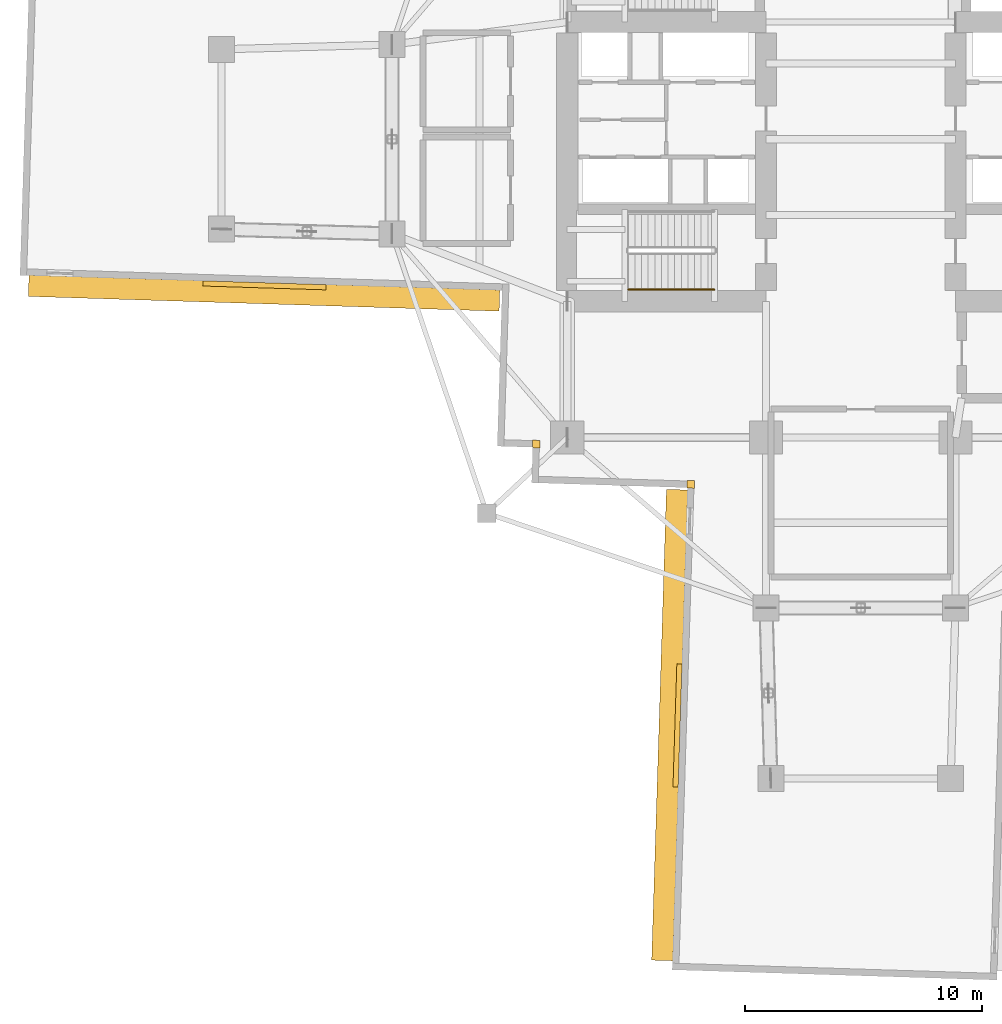
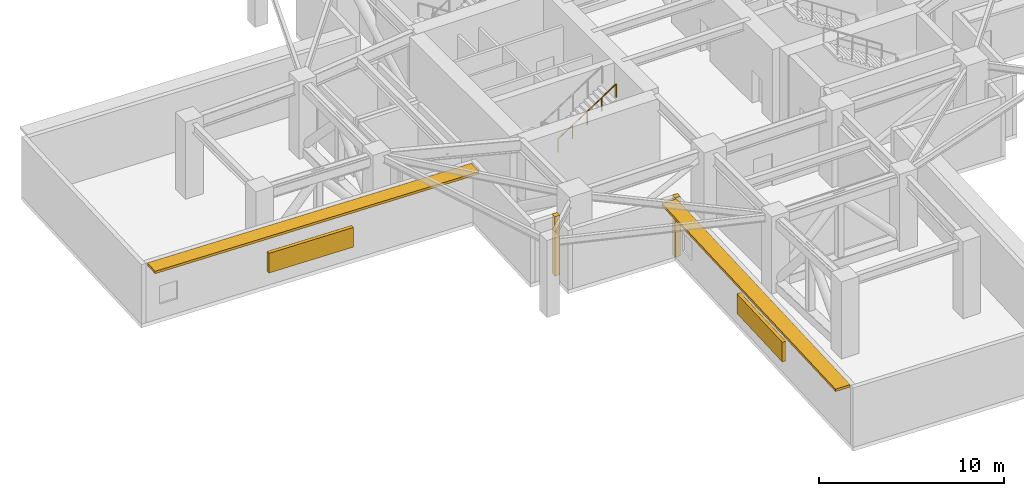
# One storey, part 13 of 17: 4 shading devices, 2 coverings, 1 railing.
"""IFC4 building model written with IfcOpenShell, lengths in metres."""

from ifc_helpers import new_model, si_unit, direction, frame, origin, origin_2d, place, context, subcontext, project, spatial, rectangle, circle, extrude, material, layer, layer_set, type_object, element, save


model = new_model("IFC4")

# Units and contexts
model_context = context("Model", 3, precision=1e-05, world=origin(), true_north=direction((0.0, 1.0)))
body_context = subcontext(model_context, "Body", "Model", "MODEL_VIEW")
ifc_project = project(units=[si_unit("LENGTHUNIT", "METRE"), si_unit("AREAUNIT", "SQUARE_METRE"), si_unit("VOLUMEUNIT", "CUBIC_METRE"), si_unit("PLANEANGLEUNIT", "RADIAN"), si_unit("MASSUNIT", "GRAM", prefix="KILO")], contexts=[model_context])

# Site, building, storey
site_placement = place(None, origin())
site = spatial("IfcSite", under=ifc_project, at=site_placement, CompositionType="ELEMENT")
building_placement = place(site_placement, origin())
building = spatial("IfcBuilding", under=site, at=building_placement, Name="Qingluan Cross Belvedere", CompositionType="ELEMENT")
storey_placement = place(building_placement, frame((0.0, 0.0, 95.10009765625)))
storey = spatial("IfcBuildingStorey", under=building, at=storey_placement, Name="L24", CompositionType="ELEMENT", Elevation=95.10009765625)

# Coverings
ifc_material_1 = material(Name="Precast concrete C45", Category="concrete")
ifc_layer_1 = layer(ifc_material_1, 0.1201171875, Name="ConcreteSpandrelCladding_120")
ifc_layer_set_1 = layer_set([ifc_layer_1], Name="Precast concrete C45")
covering_type = type_object("IfcCoveringType", Name="ConcreteSpandrelCladding_120", PredefinedType="CLADDING", material=ifc_layer_set_1)
for number, where, z_axis, x_axis, name in (
    (1, (-13.711181640625, -12.875732421875, 0.0), (0.0, 0.0, 1.0), (0.999506560366, -0.031410759078, 0.0), "Corner closure L24-SW1"),
    (2, (-7.181640625, -14.58154296875, 0.0), (0.0, 0.0, 1.0), (0.999506560366, -0.031410759078, 0.0), "Corner closure L24-SW2"),
):
    element("IfcCovering", number, at=place(storey_placement, frame(where, z_axis=z_axis, x_axis=x_axis)), inside=storey, type_object=covering_type, Name=name, PredefinedType="CLADDING", context=body_context, shape_type="SweptSolid", body=[
        extrude(rectangle(XDim=0.320068359375, YDim=0.320068359375, at=origin_2d()), origin(), (0.0, 0.0, 1.0), 3.929931640625),
    ])

# Shading devices
ifc_material_2 = material(Name="Precast concrete C45", Category="concrete")
ifc_layer_2 = layer(ifc_material_2, 0.159912109375, Name="ConcreteSunshadeBand_900")
ifc_layer_set_2 = layer_set([ifc_layer_2], Name="Precast concrete C45")
shading_device_type_1 = type_object("IfcShadingDeviceType", Name="ConcreteSunshadeBand_900", PredefinedType="USERDEFINED", material=ifc_layer_set_2)
for number, where, z_axis, x_axis, name in (
    (3, (-25.206787109375, -6.50146484375, 3.75), (0.0, 0.0, 1.0), (0.999506649124, -0.031407934627, 0.0), "Concrete SUNSHADE L24-WB"),
    (4, (-8.0712890625, -24.74853515625, 3.75), (0.0, 0.0, 1.0), (-0.031407934627, -0.999506649124, 0.0), "Concrete SUNSHADE L24-SA"),
):
    element("IfcShadingDevice", number, at=place(storey_placement, frame(where, z_axis=z_axis, x_axis=x_axis)), inside=storey, type_object=shading_device_type_1, Name=name, ObjectType="SUNSHADE", PredefinedType="USERDEFINED", context=body_context, shape_type="SweptSolid", body=[
        extrude(rectangle(XDim=19.89990234375, YDim=0.89990234375, at=origin_2d()), origin(), (0.0, 0.0, 1.0), 0.159912109375),
    ])
ifc_material_3 = material(Name="Anodised aluminium acoustic louvre screen", Category="aluminium")
ifc_layer_3 = layer(ifc_material_3, 0.219970703125, Name="RefugeAcousticLouvre_Screen")
ifc_layer_set_3 = layer_set([ifc_layer_3], Name="Anodised aluminium acoustic louvre screen")
shading_device_type_2 = type_object("IfcShadingDeviceType", Name="RefugeAcousticLouvre_Screen", PredefinedType="JALOUSIE", material=ifc_layer_set_3)
for number, where, z_axis, x_axis, name in (
    (5, (-25.1962890625, -6.171630859375, 0.94970703125), (0.0, 0.0, 1.0), (0.999506649124, -0.031407934627, 0.0), "Plant acoustic louvre SCREEN L24-WB"),
    (6, (-7.741455078125, -24.759033203125, 0.94970703125), (0.0, 0.0, 1.0), (-0.031407934627, -0.999506649124, 0.0), "Plant acoustic louvre SCREEN L24-SA"),
):
    element("IfcShadingDevice", number, at=place(storey_placement, frame(where, z_axis=z_axis, x_axis=x_axis)), inside=storey, type_object=shading_device_type_2, Name=name, PredefinedType="JALOUSIE", context=body_context, shape_type="SweptSolid", body=[
        extrude(rectangle(XDim=5.199951171875, YDim=0.219970703125, at=origin_2d()), origin(), (0.0, 0.0, 1.0), 1.300048828125),
    ])

# Railing
ifc_material_4 = material(Name="Brushed stainless steel tubular handrail", Category="steel")
railing_type = type_object("IfcRailingType", Name="StairPitchHandrail_900", PredefinedType="HANDRAIL", material=ifc_material_4)
railing_placement = place(storey_placement, frame((-9.820068359375, -6.35009765625, 2.73193359375)))
element("IfcRailing", 7, at=railing_placement, inside=storey, type_object=railing_type, Name="L24 ST1 stair handrail 2", PredefinedType="HANDRAIL", context=body_context, shape_type="SweptSolid", body=[
    extrude(circle(Radius=0.02392578125, at=origin_2d()), frame((0.0, 0.0, 0.8759765625), z_axis=(0.83825089185, 0.0, 0.545284735081), x_axis=(0.0, 1.0, 0.0)), (0.0, 0.0, 1.0), 4.342529296875),
    extrude(circle(Radius=0.02099609375, at=origin_2d()), origin(), (0.0, 0.0, 1.0), 0.851806640625),
    extrude(circle(Radius=0.02099609375, at=origin_2d()), frame((0.91015625, 0.0, 0.592041015625)), (0.0, 0.0, 1.0), 0.851806640625),
    extrude(circle(Radius=0.02099609375, at=origin_2d()), frame((1.820068359375, 0.0, 1.18408203125)), (0.0, 0.0, 1.0), 0.851806640625),
    extrude(circle(Radius=0.02099609375, at=origin_2d()), frame((2.72998046875, 0.0, 1.77587890625)), (0.0, 0.0, 1.0), 0.851806640625),
    extrude(circle(Radius=0.02099609375, at=origin_2d()), frame((3.64013671875, 0.0, 2.367919921875)), (0.0, 0.0, 1.0), 0.851806640625),
])

save(model, "model.ifc")
